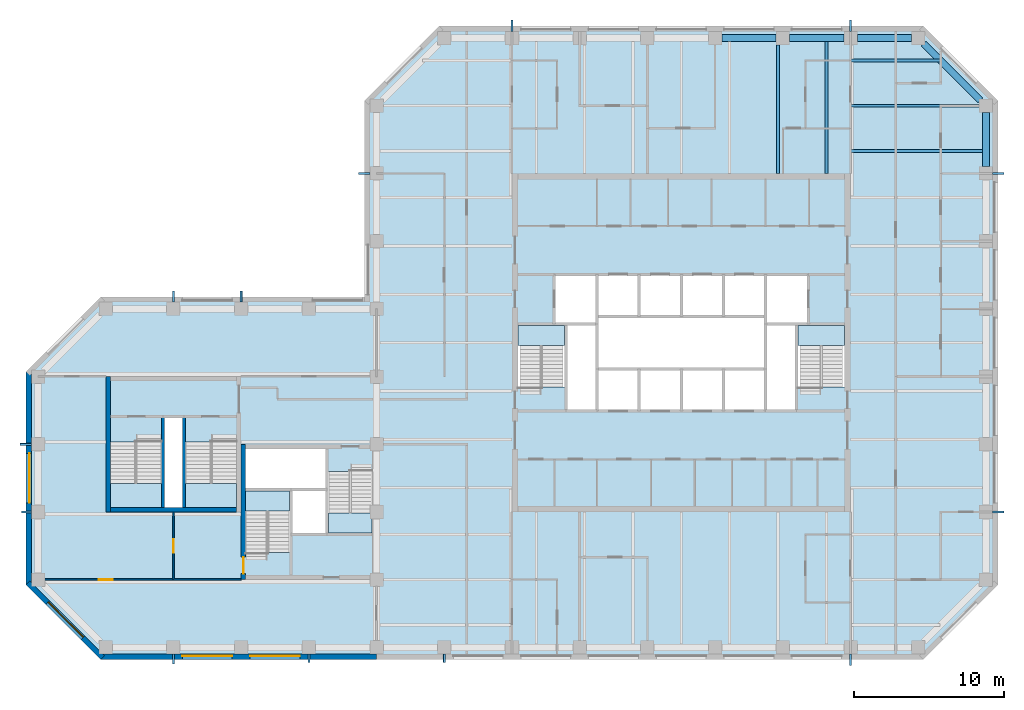
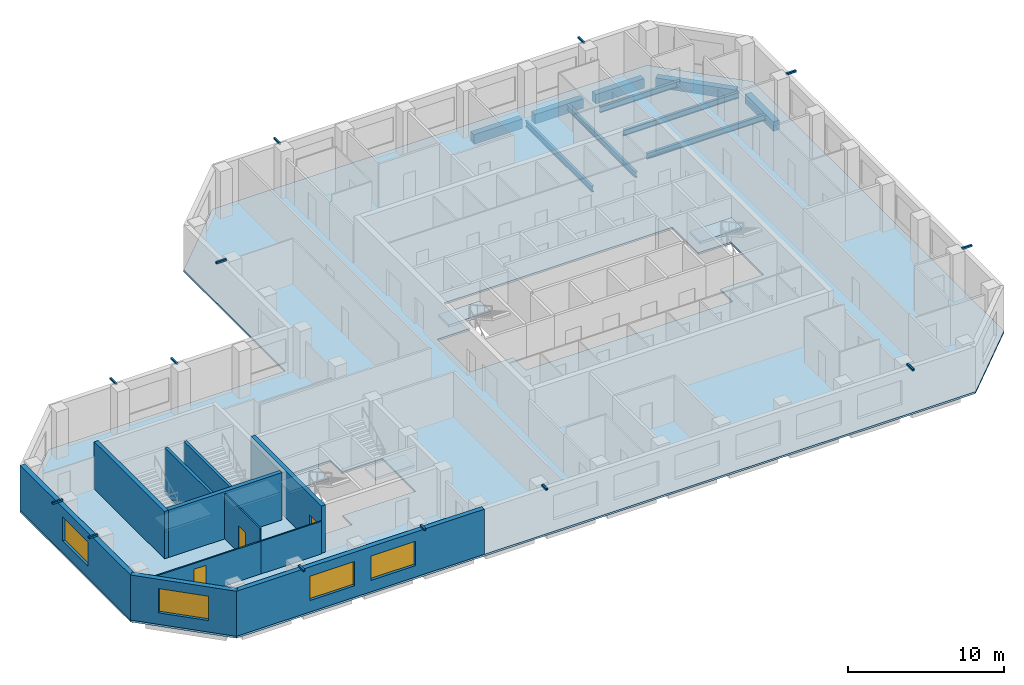
# One storey, part 2 of 9: 23 beams, 11 walls, 7 slabs, 4 windows, 3 doors, 7 openings, 6 elements without a shape of their own.
"""IFC4 building model written with IfcOpenShell, lengths in metres."""

from ifc_helpers import new_model, si_unit, direction, frame, frame_2d, origin, origin_2d, place, context, subcontext, project, spatial, polyline, rectangle, hollow_rectangle, i_section, outline, extrude, material, layer, layer_set, constituent, constituent_set, material_profile, profile_set, type_object, element, fill, aggregate, save


model = new_model("IFC4")

# Units and contexts
model_context = context("Model", 3, precision=1e-05, world=origin(), true_north=direction((0.0, 1.0)))
body_context = subcontext(model_context, "Body", "Model", "MODEL_VIEW")
ifc_project = project(units=[si_unit("LENGTHUNIT", "METRE"), si_unit("AREAUNIT", "SQUARE_METRE"), si_unit("VOLUMEUNIT", "CUBIC_METRE"), si_unit("PLANEANGLEUNIT", "RADIAN"), si_unit("MASSUNIT", "GRAM", prefix="KILO")], contexts=[model_context])

# Site, building, storey
site_placement = place(None, origin())
site = spatial("IfcSite", under=ifc_project, at=site_placement, CompositionType="ELEMENT")
building_placement = place(site_placement, origin())
building = spatial("IfcBuilding", under=site, at=building_placement, Name="Quoin Convention Tower", CompositionType="ELEMENT")
storey_placement = place(building_placement, frame((0.0, 0.0, 230.39990234375)))
storey = spatial("IfcBuildingStorey", under=building, at=storey_placement, Name="L60", CompositionType="ELEMENT", Elevation=230.39990234375)

# Beams
ifc_material_1 = material(Name="Steel C450L0", Category="steel")
ifc_material_profile_1 = material_profile(ifc_material_1, hollow_rectangle(XDim=0.14990234375, YDim=0.14990234375, WallThickness=0.008056640625, InnerFilletRadius=0.011962890625, OuterFilletRadius=0.02001953125, at=origin_2d()), Name="150x150x8.0SHS")
ifc_profile_set_1 = profile_set([ifc_material_profile_1], Name="Steel C450L0")
beam_type_1 = type_object("IfcBeamType", Name="150x150x8.0SHS", PredefinedType="BEAM", material=ifc_profile_set_1)
beam_1_placement = place(storey_placement, frame((13.050048828125, 54.0, 3.625), z_axis=(-1.0, 0.0, 0.0), x_axis=(0.0, -1.0, 0.0)))
element("IfcBeam", 1, at=beam_1_placement, inside=storey, type_object=beam_type_1, Name="brk-hi-L57-13500_58500-13500_54000", PredefinedType="BEAM", context=body_context, shape_type="SweptSolid", body=[
    extrude(hollow_rectangle(XDim=0.14990234375, YDim=0.14990234375, WallThickness=0.008056640625, InnerFilletRadius=0.011962890625, OuterFilletRadius=0.02001953125, at=origin_2d()), origin(), (0.0, 0.0, 1.0), 0.75),
])
for number, where, z_axis, x_axis, name in (
    (2, (13.050048828125, 49.5, 3.625), (-1.0, 0.0, 0.0), (0.0, -1.0, 0.0), "brk-hi-L57-13500_49500-13500_45000"),
    (3, (22.5, 40.050048828125, 3.625), (0.0, -1.0, 0.0), (1.0, 0.0, 0.0), "brk-hi-L57-18000_40500-22500_40500"),
):
    element("IfcBeam", number, at=place(storey_placement, frame(where, z_axis=z_axis, x_axis=x_axis)), inside=storey, type_object=beam_type_1, Name=name, PredefinedType="BEAM", context=body_context, shape_type="SweptSolid", body=[
        extrude(hollow_rectangle(XDim=0.14990234375, YDim=0.14990234375, WallThickness=0.008056640625, InnerFilletRadius=0.011962890625, OuterFilletRadius=0.02001953125, at=origin_2d()), origin(), (0.0, 0.0, 1.0), 0.650146484375),
    ])
for number, where, z_axis, x_axis, name in (
    (4, (31.5, 40.050048828125, 3.625), (0.0, -1.0, 0.0), (1.0, 0.0, 0.0), "brk-hi-L57-31500_40500-36000_40500"),
    (5, (40.5, 40.050048828125, 3.625), (0.0, -1.0, 0.0), (1.0, 0.0, 0.0), "brk-hi-L57-36000_40500-40500_40500"),
):
    element("IfcBeam", number, at=place(storey_placement, frame(where, z_axis=z_axis, x_axis=x_axis)), inside=storey, type_object=beam_type_1, Name=name, PredefinedType="BEAM", context=body_context, shape_type="SweptSolid", body=[
        extrude(hollow_rectangle(XDim=0.14990234375, YDim=0.14990234375, WallThickness=0.008056640625, InnerFilletRadius=0.011962890625, OuterFilletRadius=0.02001953125, at=origin_2d()), origin(), (0.0, 0.0, 1.0), 0.550048828125),
    ])
for number, where, z_axis, x_axis, name in (
    (6, (67.5, 40.050048828125, 3.625), (0.0, -1.0, 0.0), (1.0, 0.0, 0.0), "brk-hi-L57-67500_40500-72000_40500"),
    (7, (27.0, 63.449951171875, 3.625), (0.0, 1.0, 0.0), (-1.0, 0.0, 0.0), "brk-hi-L57-31500_63000-27000_63000"),
    (8, (22.5, 63.449951171875, 3.625), (0.0, 1.0, 0.0), (-1.0, 0.0, 0.0), "brk-hi-L57-22500_63000-18000_63000"),
    (9, (35.550048828125, 72.0, 3.625), (-1.0, 0.0, 0.0), (0.0, -1.0, 0.0), "brk-hi-L57-36000_76500-36000_72000"),
    (10, (67.5, 81.449951171875, 3.625), (0.0, 1.0, 0.0), (-1.0, 0.0, 0.0), "brk-hi-L57-72000_81000-67500_81000"),
    (11, (45.0, 81.449951171875, 3.625), (0.0, 1.0, 0.0), (-1.0, 0.0, 0.0), "brk-hi-L57-45000_81000-40500_81000"),
    (12, (76.949951171875, 49.5, 3.625), (1.0, 0.0, 0.0), (0.0, 1.0, 0.0), "brk-hi-L57-76500_45000-76500_49500"),
    (13, (76.949951171875, 72.0, 3.625), (1.0, 0.0, 0.0), (0.0, 1.0, 0.0), "brk-hi-L57-76500_72000-76500_76500"),
):
    element("IfcBeam", number, at=place(storey_placement, frame(where, z_axis=z_axis, x_axis=x_axis)), inside=storey, type_object=beam_type_1, Name=name, PredefinedType="BEAM", context=body_context, shape_type="SweptSolid", body=[
        extrude(hollow_rectangle(XDim=0.14990234375, YDim=0.14990234375, WallThickness=0.008056640625, InnerFilletRadius=0.011962890625, OuterFilletRadius=0.02001953125, at=origin_2d()), origin(), (0.0, 0.0, 1.0), 0.75),
    ])
ifc_material_2 = material(Name="Steel Grade 300", Category="steel")
ifc_material_profile_2 = material_profile(ifc_material_2, i_section(OverallWidth=0.18994140625, OverallDepth=0.4541015625, WebThickness=0.008544921875, FlangeThickness=0.0126953125, FilletRadius=0.011474609375, at=origin_2d()), Name="460UB67.1")
ifc_profile_set_2 = profile_set([ifc_material_profile_2], Name="Steel Grade 300")
beam_type_2 = type_object("IfcBeamType", Name="460UB67.1", PredefinedType="BEAM", material=ifc_profile_set_2)
beam_2_placement = place(storey_placement, frame((62.6787109375, 72.0, -0.376953125), z_axis=(0.0, 1.0, 0.0), x_axis=(-1.0, 0.0, 0.0)))
element("IfcBeam", 14, at=beam_2_placement, inside=storey, type_object=beam_type_2, Name="bm-L60-T1N5", PredefinedType="BEAM", context=body_context, shape_type="SweptSolid", body=[
    extrude(i_section(OverallWidth=0.18994140625, OverallDepth=0.4541015625, WebThickness=0.008544921875, FlangeThickness=0.0126953125, FilletRadius=0.011474609375, at=origin_2d()), origin(), (0.0, 0.0, 1.0), 8.550048828125),
])
beam_3_placement = place(storey_placement, frame((65.892822265625, 72.0, -0.376953125), z_axis=(0.0, 1.0, 0.0), x_axis=(-1.0, 0.0, 0.0)))
element("IfcBeam", 15, at=beam_3_placement, inside=storey, type_object=beam_type_2, Name="bm-L60-T1N6", PredefinedType="BEAM", context=body_context, shape_type="SweptSolid", body=[
    extrude(i_section(OverallWidth=0.18994140625, OverallDepth=0.4541015625, WebThickness=0.008544921875, FlangeThickness=0.0126953125, FilletRadius=0.011474609375, at=origin_2d()), origin(), (0.0, 0.0, 1.0), 8.77490234375),
])
beam_4_placement = place(storey_placement, frame((67.5, 79.5, -0.376953125), z_axis=(1.0, 0.0, 0.0), x_axis=(0.0, 1.0, 0.0)))
element("IfcBeam", 16, at=beam_4_placement, inside=storey, type_object=beam_type_2, Name="bm-L60-T1NE0", PredefinedType="BEAM", context=body_context, shape_type="SweptSolid", body=[
    extrude(i_section(OverallWidth=0.18994140625, OverallDepth=0.4541015625, WebThickness=0.008544921875, FlangeThickness=0.0126953125, FilletRadius=0.011474609375, at=origin_2d()), origin(), (0.0, 0.0, 1.0), 5.935791015625),
])
beam_5_placement = place(storey_placement, frame((67.5, 76.5, -0.376953125), z_axis=(1.0, 0.0, 0.0), x_axis=(0.0, 1.0, 0.0)))
element("IfcBeam", 17, at=beam_5_placement, inside=storey, type_object=beam_type_2, Name="bm-L60-T1NE1", PredefinedType="BEAM", context=body_context, shape_type="SweptSolid", body=[
    extrude(i_section(OverallWidth=0.18994140625, OverallDepth=0.4541015625, WebThickness=0.008544921875, FlangeThickness=0.0126953125, FilletRadius=0.011474609375, at=origin_2d()), origin(), (0.0, 0.0, 1.0), 8.550048828125),
])
beam_6_placement = place(storey_placement, frame((67.5, 73.5, -0.376953125), z_axis=(1.0, 0.0, 0.0), x_axis=(0.0, 1.0, 0.0)))
element("IfcBeam", 18, at=beam_6_placement, inside=storey, type_object=beam_type_2, Name="bm-L60-T1NE2", PredefinedType="BEAM", context=body_context, shape_type="SweptSolid", body=[
    extrude(i_section(OverallWidth=0.18994140625, OverallDepth=0.4541015625, WebThickness=0.008544921875, FlangeThickness=0.0126953125, FilletRadius=0.011474609375, at=origin_2d()), origin(), (0.0, 0.0, 1.0), 8.77490234375),
])
ifc_material_3 = material(Name="Concrete C50", Category="concrete")
ifc_material_profile_3 = material_profile(ifc_material_3, rectangle(XDim=0.449951171875, YDim=0.75, at=origin_2d()), Name="RC 450x750")
ifc_profile_set_3 = profile_set([ifc_material_profile_3], Name="Concrete C50")
beam_type_3 = type_object("IfcBeamType", Name="RC 450x750 C50", PredefinedType="SPANDREL", material=ifc_profile_set_3)
beam_7_placement = place(storey_placement, frame((76.5, 72.449951171875, -0.52490234375), z_axis=(0.0, 1.0, 0.0), x_axis=(-1.0, 0.0, 0.0)))
element("IfcBeam", 19, at=beam_7_placement, inside=storey, type_object=beam_type_3, Name="spd-L60-76500_72000-76500_76500", PredefinedType="SPANDREL", context=body_context, shape_type="SweptSolid", body=[
    extrude(rectangle(XDim=0.449951171875, YDim=0.75, at=origin_2d()), origin(), (0.0, 0.0, 1.0), 3.60009765625),
])
beam_8_placement = place(storey_placement, frame((76.135009765625, 76.864990234375, -0.52490234375), z_axis=(-0.707106781187, 0.707106781187, 0.0), x_axis=(-0.707106781187, -0.707106781187, 0.0)))
element("IfcBeam", 20, at=beam_8_placement, inside=storey, type_object=beam_type_3, Name="spd-L60-76500_76500-72000_81000", PredefinedType="SPANDREL", context=body_context, shape_type="SweptSolid", body=[
    extrude(rectangle(XDim=0.449951171875, YDim=0.75, at=origin_2d()), origin(), (0.0, 0.0, 1.0), 5.33154296875),
])
for number, where, z_axis, x_axis, name in (
    (21, (71.550048828125, 81.0, -0.52490234375), (-1.0, 0.0, 0.0), (0.0, -1.0, 0.0), "spd-L60-72000_81000-67500_81000"),
    (22, (67.050048828125, 81.0, -0.52490234375), (-1.0, 0.0, 0.0), (0.0, -1.0, 0.0), "spd-L60-67500_81000-63000_81000"),
    (23, (62.550048828125, 81.0, -0.52490234375), (-1.0, 0.0, 0.0), (0.0, -1.0, 0.0), "spd-L60-63000_81000-58500_81000"),
):
    element("IfcBeam", number, at=place(storey_placement, frame(where, z_axis=z_axis, x_axis=x_axis)), inside=storey, type_object=beam_type_3, Name=name, PredefinedType="SPANDREL", context=body_context, shape_type="SweptSolid", body=[
        extrude(rectangle(XDim=0.449951171875, YDim=0.75, at=origin_2d()), origin(), (0.0, 0.0, 1.0), 3.60009765625),
    ])

# Slab
ifc_material_4 = material(Name="Concrete C40", Category="concrete")
ifc_layer_1 = layer(ifc_material_4, 0.14990234375)
ifc_layer_set_1 = layer_set([ifc_layer_1], Name="Concrete C40")
slab_type_1 = type_object("IfcSlabType", Name="COMPOSITE SLAB 150 C40", PredefinedType="FLOOR", material=ifc_layer_set_1)
slab_1_placement = place(storey_placement, frame((0.0, 0.0, -0.14990234375)))
element("IfcSlab", 24, at=slab_1_placement, inside=storey, type_object=slab_type_1, Name="slb-L60", PredefinedType="FLOOR", context=body_context, shape_type="SweptSolid", body=[
    extrude(outline(polyline([(17.668701171875, 39.699951171875), (12.699951171875, 44.668701171875), (12.699951171875, 58.831298828125), (17.668701171875, 63.800048828125), (35.199951171875, 63.800048828125), (35.199951171875, 76.831298828125), (40.168701171875, 81.800048828125), (72.331298828125, 81.800048828125), (77.300048828125, 76.831298828125), (77.300048828125, 44.668701171875), (72.331298828125, 39.699951171875), (17.668701171875, 39.699951171875)]), holes=[polyline([(27.300048828125, 51.0), (27.300048828125, 46.800537109375), (30.300048828125, 46.800537109375), (30.300048828125, 48.0), (32.699951171875, 48.0), (35.699951171875, 48.0), (35.699951171875, 52.199462890625), (32.699951171875, 52.199462890625), (32.699951171875, 53.699951171875), (27.300048828125, 53.699951171875), (27.300048828125, 51.0)]), polyline([(18.300048828125, 49.800048828125), (21.800048828125, 49.800048828125), (23.199951171875, 49.800048828125), (26.699951171875, 49.800048828125), (26.699951171875, 54.1494140625), (23.199951171875, 54.1494140625), (23.199951171875, 55.85009765625), (21.800048828125, 55.85009765625), (21.800048828125, 54.1494140625), (18.300048828125, 54.1494140625), (18.300048828125, 49.800048828125)]), polyline([(48.60009765625, 56.199951171875), (50.64990234375, 56.199951171875), (53.449951171875, 56.199951171875), (56.25, 56.199951171875), (59.050048828125, 56.199951171875), (61.85009765625, 56.199951171875), (63.89990234375, 56.199951171875), (63.89990234375, 57.800537109375), (67.10009765625, 57.800537109375), (67.10009765625, 62.0), (64.699951171875, 62.0), (64.699951171875, 65.300048828125), (61.85009765625, 65.300048828125), (59.050048828125, 65.300048828125), (56.25, 65.300048828125), (53.449951171875, 65.300048828125), (50.64990234375, 65.300048828125), (47.800048828125, 65.300048828125), (47.800048828125, 62.0), (45.39990234375, 62.0), (45.39990234375, 57.800537109375), (48.60009765625, 57.800537109375), (48.60009765625, 56.199951171875)])]), origin(), (0.0, 0.0, 1.0), 0.14990234375),
])

# Stair, slab
stair_type_1 = type_object("IfcStairType", Name="Exit stair two-flight 1350", PredefinedType="HALF_TURN_STAIR", material=ifc_material_4)
stair_1_placement = place(storey_placement, origin())
stair_1 = element("IfcStair", 25, at=stair_1_placement, inside=storey, type_object=stair_type_1, Name="SD1 L60", PredefinedType="HALF_TURN_STAIR")
ifc_layer_2 = layer(ifc_material_4, 0.199951171875)
ifc_layer_set_2 = layer_set([ifc_layer_2], Name="Concrete C40")
slab_type_2 = type_object("IfcSlabType", Name="Stair landing 200", PredefinedType="LANDING", material=ifc_layer_set_2)
slab_2_placement = place(storey_placement, frame((0.0, 0.0, 1.79248046875)))
slab_2 = element("IfcSlab", 26, at=slab_2_placement, type_object=slab_type_2, Name="ST1 landing 1", PredefinedType="LANDING", context=body_context, shape_type="SweptSolid", body=[
    extrude(outline(polyline([(45.39990234375, 60.550048828125), (48.5, 60.550048828125), (48.5, 61.89990234375), (45.39990234375, 61.89990234375), (45.39990234375, 60.550048828125)])), origin(), (0.0, 0.0, 1.0), 0.199951171875),
])
aggregate(stair_1, [slab_2])

stair_2_placement = place(storey_placement, origin())
stair_2 = element("IfcStair", 27, at=stair_2_placement, inside=storey, type_object=stair_type_1, Name="SD2 L60", PredefinedType="HALF_TURN_STAIR")
slab_3_placement = place(storey_placement, frame((0.0, 0.0, 1.79248046875)))
slab_3 = element("IfcSlab", 28, at=slab_3_placement, type_object=slab_type_2, Name="ST2 landing 1", PredefinedType="LANDING", context=body_context, shape_type="SweptSolid", body=[
    extrude(outline(polyline([(64.0, 60.550048828125), (67.10009765625, 60.550048828125), (67.10009765625, 61.89990234375), (64.0, 61.89990234375), (64.0, 60.550048828125)])), origin(), (0.0, 0.0, 1.0), 0.199951171875),
])
aggregate(stair_2, [slab_3])

stair_3_placement = place(storey_placement, origin())
stair_3 = element("IfcStair", 29, at=stair_3_placement, inside=storey, type_object=stair_type_1, Name="SD3 L60", PredefinedType="HALF_TURN_STAIR")
slab_4_placement = place(storey_placement, frame((0.0, 0.0, 1.79248046875)))
slab_4 = element("IfcSlab", 30, at=slab_4_placement, type_object=slab_type_2, Name="ST3 landing 1", PredefinedType="LANDING", context=body_context, shape_type="SweptSolid", body=[
    extrude(outline(polyline([(27.300048828125, 49.550048828125), (30.199951171875, 49.550048828125), (30.199951171875, 50.89990234375), (27.300048828125, 50.89990234375), (27.300048828125, 49.550048828125)])), origin(), (0.0, 0.0, 1.0), 0.199951171875),
])
aggregate(stair_3, [slab_4])

stair_4_placement = place(storey_placement, origin())
stair_4 = element("IfcStair", 31, at=stair_4_placement, inside=storey, type_object=stair_type_1, Name="SD4 L60", PredefinedType="HALF_TURN_STAIR")
slab_5_placement = place(storey_placement, frame((0.0, 0.0, 1.79248046875)))
slab_5 = element("IfcSlab", 32, at=slab_5_placement, type_object=slab_type_2, Name="ST4 landing 1", PredefinedType="LANDING", context=body_context, shape_type="SweptSolid", body=[
    extrude(outline(polyline([(35.699951171875, 49.449951171875), (32.800048828125, 49.449951171875), (32.800048828125, 48.10009765625), (35.699951171875, 48.10009765625), (35.699951171875, 49.449951171875)])), origin(), (0.0, 0.0, 1.0), 0.199951171875),
])
aggregate(stair_4, [slab_5])

stair_type_2 = type_object("IfcStairType", Name="Exit stair two-flight 1600", PredefinedType="HALF_TURN_STAIR", material=ifc_material_4)
stair_5_placement = place(storey_placement, origin())
stair_5 = element("IfcStair", 33, at=stair_5_placement, inside=storey, type_object=stair_type_2, Name="SD11 L60", PredefinedType="HALF_TURN_STAIR")
slab_6_placement = place(storey_placement, frame((0.0, 0.0, 1.79248046875)))
slab_6 = element("IfcSlab", 34, at=slab_6_placement, type_object=slab_type_2, Name="ST11 landing 1", PredefinedType="LANDING", context=body_context, shape_type="SweptSolid", body=[
    extrude(outline(polyline([(21.699951171875, 51.39990234375), (18.300048828125, 51.39990234375), (18.300048828125, 49.800048828125), (21.699951171875, 49.800048828125), (21.699951171875, 51.39990234375)])), origin(), (0.0, 0.0, 1.0), 0.199951171875),
])
aggregate(stair_5, [slab_6])

stair_6_placement = place(storey_placement, origin())
stair_6 = element("IfcStair", 35, at=stair_6_placement, inside=storey, type_object=stair_type_2, Name="SD12 L60", PredefinedType="HALF_TURN_STAIR")
slab_7_placement = place(storey_placement, frame((0.0, 0.0, 1.79248046875)))
slab_7 = element("IfcSlab", 36, at=slab_7_placement, type_object=slab_type_2, Name="ST12 landing 1", PredefinedType="LANDING", context=body_context, shape_type="SweptSolid", body=[
    extrude(outline(polyline([(26.699951171875, 51.39990234375), (23.300048828125, 51.39990234375), (23.300048828125, 49.800048828125), (26.699951171875, 49.800048828125), (26.699951171875, 51.39990234375)])), origin(), (0.0, 0.0, 1.0), 0.199951171875),
])
aggregate(stair_6, [slab_7])

# Wall, opening, window
ifc_material_5 = material(Name="Brick masonry", Category="masonry")
ifc_layer_3 = layer(ifc_material_5, 0.35009765625)
ifc_layer_set_3 = layer_set([ifc_layer_3], Name="Brick masonry")
wall_type_1 = type_object("IfcWallType", Name="Brick facade wall", PredefinedType="STANDARD", material=ifc_layer_set_3)
wall_1_placement = place(storey_placement, frame((12.875, 58.831298828125, 0.0), z_axis=(0.0, 0.0, 1.0), x_axis=(0.0, -1.0, 0.0)))
wall_1 = element("IfcWall", 37, at=wall_1_placement, inside=storey, type_object=wall_type_1, Name="fw-L60-13500_58500", PredefinedType="STANDARD", context=body_context, shape_type="SweptSolid", body=[
    extrude(rectangle(XDim=14.16259765625, YDim=0.35009765625, at=frame_2d((7.081298828125, 0.0))), origin(), (0.0, 0.0, 1.0), 3.525146484375),
])
opening_1_placement = place(wall_1_placement, frame((5.431396484375, 0.0, 0.89990234375)))
opening_1 = element("IfcOpeningElement", 38, at=opening_1_placement, cuts=wall_1, Name="Opening W-02", PredefinedType="OPENING", context=body_context, shape_type="SweptSolid", body=[
    extrude(rectangle(XDim=3.300048828125, YDim=1.89990234375, at=frame_2d((1.64990234375, 0.949951171875))), frame((0.0, 0.18505859375, 0.0), z_axis=(0.0, -1.0, 0.0), x_axis=(1.0, 0.0, 0.0)), (0.0, 0.0, 1.0), 0.3701171875),
])
ifc_material_6 = material(Name="Aluminium", Category="aluminium")
ifc_constituent_1 = constituent(ifc_material_6, Name="Frame")
ifc_material_7 = material(Name="Insulated glass", Category="glass")
ifc_constituent_2 = constituent(ifc_material_7, Name="Glazing")
ifc_constituent_set = constituent_set(constituents=[ifc_constituent_1, ifc_constituent_2], Name="Aluminium")
window_type = type_object("IfcWindowType", Name="Office window", PartitioningType="DOUBLE_PANEL_VERTICAL", PredefinedType="WINDOW", material=ifc_constituent_set)
window_1_placement = place(opening_1_placement, origin())
window_1 = element("IfcWindow", 39, at=window_1_placement, inside=storey, type_object=window_type, Name="win-L60-12875_51750", OverallHeight=1.89990234375, OverallWidth=3.300048828125, PartitioningType="SINGLE_PANEL", PredefinedType="WINDOW", context=body_context, shape_type="SweptSolid", body=[
    extrude(rectangle(XDim=3.300048828125, YDim=1.89990234375, at=frame_2d((1.64990234375, 0.949951171875))), frame((0.0, 0.0849609375, 0.0), z_axis=(0.0, -1.0, 0.0), x_axis=(1.0, 0.0, 0.0)), (0.0, 0.0, 1.0), 0.06005859375),
])
fill(opening_1, window_1)

wall_2_placement = place(storey_placement, frame((12.82373046875, 44.79248046875, 0.0), z_axis=(0.0, 0.0, 1.0), x_axis=(0.707106781187, -0.707106781187, 0.0)))
wall_2 = element("IfcWall", 40, at=wall_2_placement, inside=storey, type_object=wall_type_1, Name="fw-L60-13500_45000", PredefinedType="STANDARD", context=body_context, shape_type="SweptSolid", body=[
    extrude(rectangle(XDim=7.02685546875, YDim=0.35009765625, at=frame_2d((3.513427734375, 0.0))), origin(), (0.0, 0.0, 1.0), 3.525146484375),
])
opening_2_placement = place(wall_2_placement, frame((1.86328125, 0.0, 0.89990234375)))
opening_2 = element("IfcOpeningElement", 41, at=opening_2_placement, cuts=wall_2, Name="Opening W-02", PredefinedType="OPENING", context=body_context, shape_type="SweptSolid", body=[
    extrude(rectangle(XDim=3.300048828125, YDim=1.89990234375, at=frame_2d((1.64990234375, 0.949951171875))), frame((0.0, 0.18505859375, 0.0), z_axis=(0.0, -1.0, 0.0), x_axis=(1.0, 0.0, 0.0)), (0.0, 0.0, 1.0), 0.3701171875),
])
window_2_placement = place(opening_2_placement, origin())
window_2 = element("IfcWindow", 42, at=window_2_placement, inside=storey, type_object=window_type, Name="win-L60-15308_42308", OverallHeight=1.89990234375, OverallWidth=3.300048828125, PartitioningType="SINGLE_PANEL", PredefinedType="WINDOW", context=body_context, shape_type="SweptSolid", body=[
    extrude(rectangle(XDim=3.300048828125, YDim=1.89990234375, at=frame_2d((1.64990234375, 0.949951171875))), frame((0.0, 0.0849609375, 0.0), z_axis=(0.0, -1.0, 0.0), x_axis=(1.0, 0.0, 0.0)), (0.0, 0.0, 1.0), 0.06005859375),
])
fill(opening_2, window_2)

# Wall, openings, windows
wall_3_placement = place(storey_placement, frame((17.668701171875, 39.875, 0.0), z_axis=(0.0, 0.0, 1.0), x_axis=(1.0, 0.0, 0.0)))
wall_3 = element("IfcWall", 43, at=wall_3_placement, inside=storey, type_object=wall_type_1, Name="fw-L60-18000_40500", PredefinedType="STANDARD", context=body_context, shape_type="SweptSolid", body=[
    extrude(rectangle(XDim=18.331298828125, YDim=0.35009765625, at=frame_2d((9.16552734375, 0.0))), origin(), (0.0, 0.0, 1.0), 3.525146484375),
])
opening_3_placement = place(wall_3_placement, frame((5.431396484375, 0.0, 0.89990234375)))
opening_3 = element("IfcOpeningElement", 44, at=opening_3_placement, cuts=wall_3, Name="Opening W-02", PredefinedType="OPENING", context=body_context, shape_type="SweptSolid", body=[
    extrude(rectangle(XDim=3.300048828125, YDim=1.89990234375, at=frame_2d((1.64990234375, 0.949951171875))), frame((0.0, 0.18505859375, 0.0), z_axis=(0.0, -1.0, 0.0), x_axis=(1.0, 0.0, 0.0)), (0.0, 0.0, 1.0), 0.3701171875),
])
opening_4_placement = place(wall_3_placement, frame((9.931396484375, 0.0, 0.89990234375)))
opening_4 = element("IfcOpeningElement", 45, at=opening_4_placement, cuts=wall_3, Name="Opening W-02", PredefinedType="OPENING", context=body_context, shape_type="SweptSolid", body=[
    extrude(rectangle(XDim=3.300048828125, YDim=1.89990234375, at=frame_2d((1.64990234375, 0.949951171875))), frame((0.0, 0.18505859375, 0.0), z_axis=(0.0, -1.0, 0.0), x_axis=(1.0, 0.0, 0.0)), (0.0, 0.0, 1.0), 0.3701171875),
])
window_3_placement = place(opening_3_placement, origin())
window_3 = element("IfcWindow", 46, at=window_3_placement, inside=storey, type_object=window_type, Name="win-L60-24750_39875", OverallHeight=1.89990234375, OverallWidth=3.300048828125, PartitioningType="SINGLE_PANEL", PredefinedType="WINDOW", context=body_context, shape_type="SweptSolid", body=[
    extrude(rectangle(XDim=3.300048828125, YDim=1.89990234375, at=frame_2d((1.64990234375, 0.949951171875))), frame((0.0, 0.0849609375, 0.0), z_axis=(0.0, -1.0, 0.0), x_axis=(1.0, 0.0, 0.0)), (0.0, 0.0, 1.0), 0.06005859375),
])
fill(opening_3, window_3)
window_4_placement = place(opening_4_placement, origin())
window_4 = element("IfcWindow", 47, at=window_4_placement, inside=storey, type_object=window_type, Name="win-L60-29250_39875", OverallHeight=1.89990234375, OverallWidth=3.300048828125, PartitioningType="SINGLE_PANEL", PredefinedType="WINDOW", context=body_context, shape_type="SweptSolid", body=[
    extrude(rectangle(XDim=3.300048828125, YDim=1.89990234375, at=frame_2d((1.64990234375, 0.949951171875))), frame((0.0, 0.0849609375, 0.0), z_axis=(0.0, -1.0, 0.0), x_axis=(1.0, 0.0, 0.0)), (0.0, 0.0, 1.0), 0.06005859375),
])
fill(opening_4, window_4)

# Walls
ifc_layer_4 = layer(ifc_material_3, 0.199951171875)
ifc_layer_set_4 = layer_set([ifc_layer_4], Name="Concrete C50")
wall_type_2 = type_object("IfcWallType", Name="Core shaft wall", PredefinedType="SOLIDWALL", material=ifc_layer_set_4)
for number, where, z_axis, x_axis, name in (
    (48, (21.800048828125, 49.800048828125, 0.0), (0.0, 0.0, 1.0), (0.0, 1.0, 0.0), "cr-P6-L60-v3800_300"),
    (49, (23.199951171875, 49.800048828125, 0.0), (0.0, 0.0, 1.0), (0.0, 1.0, 0.0), "cr-P6-L60-v5200_300"),
):
    element("IfcWall", number, at=place(storey_placement, frame(where, z_axis=z_axis, x_axis=x_axis)), inside=storey, type_object=wall_type_2, Name=name, PredefinedType="SOLIDWALL", context=body_context, shape_type="SweptSolid", body=[
        extrude(rectangle(XDim=6.050048828125, YDim=0.199951171875, at=frame_2d((3.02490234375, 0.0))), origin(), (0.0, 0.0, 1.0), 3.550048828125),
    ])

# Wall, opening, door
ifc_layer_5 = layer(ifc_material_3, 0.300048828125)
ifc_layer_set_5 = layer_set([ifc_layer_5], Name="Concrete C50")
wall_type_3 = type_object("IfcWallType", Name="RC CORE WALL 300 C50", PredefinedType="SHEAR", material=ifc_layer_set_5)
wall_4_placement = place(storey_placement, frame((27.14990234375, 45.0, 0.0), z_axis=(0.0, 0.0, 1.0), x_axis=(0.0, 1.0, 0.0)))
wall_4 = element("IfcWall", 50, at=wall_4_placement, inside=storey, type_object=wall_type_3, Name="cwl-P2-L60-W", PredefinedType="SHEAR", context=body_context, shape_type="SweptSolid", body=[
    extrude(rectangle(XDim=9.0, YDim=0.300048828125, at=frame_2d((4.5, 0.0))), origin(), (0.0, 0.0, 1.0), 3.7001953125),
])
opening_5_placement = place(wall_4_placement, frame((0.39990234375, 0.0, 0.0)))
opening_5 = element("IfcOpeningElement", 51, at=opening_5_placement, cuts=wall_4, Name="Opening SD3", PredefinedType="OPENING", context=body_context, shape_type="SweptSolid", body=[
    extrude(rectangle(XDim=1.10009765625, YDim=2.10009765625, at=frame_2d((0.550048828125, 1.050048828125))), frame((0.0, 0.159912109375, 0.0), z_axis=(0.0, -1.0, 0.0), x_axis=(1.0, 0.0, 0.0)), (0.0, 0.0, 1.0), 0.320068359375),
])
ifc_material_8 = material(Name="Steel door leaf", Category="steel")
door_type_1 = type_object("IfcDoorType", Name="Stair door 1100 x 2100", OperationType="SINGLE_SWING_RIGHT", PredefinedType="DOOR", material=ifc_material_8)
door_1_placement = place(opening_5_placement, frame((1.10009765625, 0.0, 0.0), z_axis=(0.0, 0.0, 1.0), x_axis=(-1.0, 0.0, 0.0)))
door_1 = element("IfcDoor", 52, at=door_1_placement, inside=storey, type_object=door_type_1, Name="cd-P2-L60-SA-W", OperationType="SINGLE_SWING_RIGHT", OverallHeight=2.10009765625, OverallWidth=1.10009765625, PredefinedType="DOOR", context=body_context, shape_type="SweptSolid", body=[
    extrude(rectangle(XDim=1.10009765625, YDim=2.10009765625, at=frame_2d((0.550048828125, 1.050048828125))), frame((0.0, 0.02490234375, 0.0), z_axis=(0.0, -1.0, 0.0), x_axis=(1.0, 0.0, 0.0)), (0.0, 0.0, 1.0), 0.050048828125),
])
fill(opening_5, door_1)

# Walls
wall_5_placement = place(storey_placement, frame((18.300048828125, 49.64990234375, 0.0), z_axis=(0.0, 0.0, 1.0), x_axis=(1.0, 0.0, 0.0)))
element("IfcWall", 53, at=wall_5_placement, inside=storey, type_object=wall_type_3, Name="cwl-P6-L60-S", PredefinedType="SHEAR", context=body_context, shape_type="SweptSolid", body=[
    extrude(rectangle(XDim=8.39990234375, YDim=0.300048828125, at=frame_2d((4.199951171875, 0.0))), origin(), (0.0, 0.0, 1.0), 3.7001953125),
])
wall_6_placement = place(storey_placement, frame((18.14990234375, 49.5, 0.0), z_axis=(0.0, 0.0, 1.0), x_axis=(0.0, 1.0, 0.0)))
element("IfcWall", 54, at=wall_6_placement, inside=storey, type_object=wall_type_3, Name="cwl-P6-L60-W", PredefinedType="SHEAR", context=body_context, shape_type="SweptSolid", body=[
    extrude(rectangle(XDim=9.0, YDim=0.300048828125, at=frame_2d((4.5, 0.0))), origin(), (0.0, 0.0, 1.0), 3.7001953125),
])

# Wall, opening, door
ifc_material_9 = material(Name="Plasterboard")
ifc_layer_6 = layer(ifc_material_9, 0.012451171875, Name="Finish")
ifc_material_10 = material(Name="Steel stud framing", Category="steel")
ifc_layer_7 = layer(ifc_material_10, 0.074951171875, Name="Structure")
ifc_layer_8 = layer(ifc_material_9, 0.012451171875, Name="Finish")
ifc_layer_set_6 = layer_set([ifc_layer_6, ifc_layer_7, ifc_layer_8], Name="Steel stud framing")
wall_type_4 = type_object("IfcWallType", Name="Stud partition 100", PredefinedType="PARTITIONING", material=ifc_layer_set_6)
wall_7_placement = place(storey_placement, frame((22.5, 49.5, 0.0), z_axis=(0.0, 0.0, 1.0), x_axis=(0.0, -1.0, 0.0)))
wall_7 = element("IfcWall", 55, at=wall_7_placement, inside=storey, type_object=wall_type_4, Name="pw-L60-w07", PredefinedType="PARTITIONING", context=body_context, shape_type="SweptSolid", body=[
    extrude(rectangle(XDim=4.5, YDim=0.10009765625, at=frame_2d((2.25, 0.0))), origin(), (0.0, 0.0, 1.0), 3.550048828125),
])
opening_6_placement = place(wall_7_placement, frame((1.800048828125, 0.0, 0.0)))
opening_6 = element("IfcOpeningElement", 56, at=opening_6_placement, cuts=wall_7, Name="Opening DOH10-28", PredefinedType="OPENING", context=body_context, shape_type="SweptSolid", body=[
    extrude(rectangle(XDim=0.89990234375, YDim=2.10009765625, at=frame_2d((0.449951171875, 1.050048828125))), frame((0.0, 0.06005859375, 0.0), z_axis=(0.0, -1.0, 0.0), x_axis=(1.0, 0.0, 0.0)), (0.0, 0.0, 1.0), 0.1201171875),
])
door_type_2 = type_object("IfcDoorType", Name="Office door 900 x 2100", OperationType="SINGLE_SWING_RIGHT", PredefinedType="DOOR", material=ifc_material_8)
door_2_placement = place(opening_6_placement, frame((0.89990234375, 0.0, 0.0), z_axis=(0.0, 0.0, 1.0), x_axis=(-1.0, 0.0, 0.0)))
door_2 = element("IfcDoor", 57, at=door_2_placement, inside=storey, type_object=door_type_2, Name="dr-L60-w06", OperationType="SINGLE_SWING_LEFT", OverallHeight=2.10009765625, OverallWidth=0.89990234375, PredefinedType="DOOR", context=body_context, shape_type="SweptSolid", body=[
    extrude(rectangle(XDim=0.89990234375, YDim=2.10009765625, at=frame_2d((0.449951171875, 1.050048828125))), frame((0.0, 0.02490234375, 0.0), z_axis=(0.0, -1.0, 0.0), x_axis=(1.0, 0.0, 0.0)), (0.0, 0.0, 1.0), 0.050048828125),
])
fill(opening_6, door_2)

ifc_layer_9 = layer(ifc_material_9, 0.012451171875, Name="Finish")
ifc_layer_10 = layer(ifc_material_10, 0.074951171875, Name="Structure")
ifc_layer_11 = layer(ifc_material_9, 0.012451171875, Name="Finish")
ifc_layer_set_7 = layer_set([ifc_layer_9, ifc_layer_10, ifc_layer_11], Name="Steel stud framing")
wall_type_5 = type_object("IfcWallType", Name="Stud partition 100 under beam 1000", PredefinedType="PARTITIONING", material=ifc_layer_set_7)
wall_8_placement = place(storey_placement, frame((22.5, 45.0, 0.0), z_axis=(0.0, 0.0, 1.0), x_axis=(-1.0, 0.0, 0.0)))
wall_8 = element("IfcWall", 58, at=wall_8_placement, inside=storey, type_object=wall_type_5, Name="pw-L60-w06", PredefinedType="PARTITIONING", context=body_context, shape_type="SweptSolid", body=[
    extrude(rectangle(XDim=9.0, YDim=0.10009765625, at=frame_2d((4.5, 0.0))), origin(), (0.0, 0.0, 1.0), 2.550048828125),
])
opening_7_placement = place(wall_8_placement, frame((4.050048828125, 0.0, 0.0)))
opening_7 = element("IfcOpeningElement", 59, at=opening_7_placement, cuts=wall_8, Name="Opening DOH10-27", PredefinedType="OPENING", context=body_context, shape_type="SweptSolid", body=[
    extrude(rectangle(XDim=0.89990234375, YDim=2.10009765625, at=frame_2d((0.449951171875, 1.050048828125))), frame((0.0, 0.06005859375, 0.0), z_axis=(0.0, -1.0, 0.0), x_axis=(1.0, 0.0, 0.0)), (0.0, 0.0, 1.0), 0.1201171875),
])
door_3_placement = place(opening_7_placement, origin())
door_3 = element("IfcDoor", 60, at=door_3_placement, inside=storey, type_object=door_type_2, Name="dr-L60-w05", OperationType="SINGLE_SWING_LEFT", OverallHeight=2.10009765625, OverallWidth=0.89990234375, PredefinedType="DOOR", context=body_context, shape_type="SweptSolid", body=[
    extrude(rectangle(XDim=0.89990234375, YDim=2.10009765625, at=frame_2d((0.449951171875, 1.050048828125))), frame((0.0, 0.02490234375, 0.0), z_axis=(0.0, -1.0, 0.0), x_axis=(1.0, 0.0, 0.0)), (0.0, 0.0, 1.0), 0.050048828125),
])
fill(opening_7, door_3)

# Wall
wall_9_placement = place(storey_placement, frame((22.5, 45.0, 0.0), z_axis=(0.0, 0.0, 1.0), x_axis=(1.0, 0.0, 0.0)))
element("IfcWall", 61, at=wall_9_placement, inside=storey, type_object=wall_type_5, Name="pw-L60-w08", PredefinedType="PARTITIONING", context=body_context, shape_type="SweptSolid", body=[
    extrude(rectangle(XDim=4.5, YDim=0.10009765625, at=frame_2d((2.25, 0.0))), origin(), (0.0, 0.0, 1.0), 2.550048828125),
])

save(model, "model.ifc")
